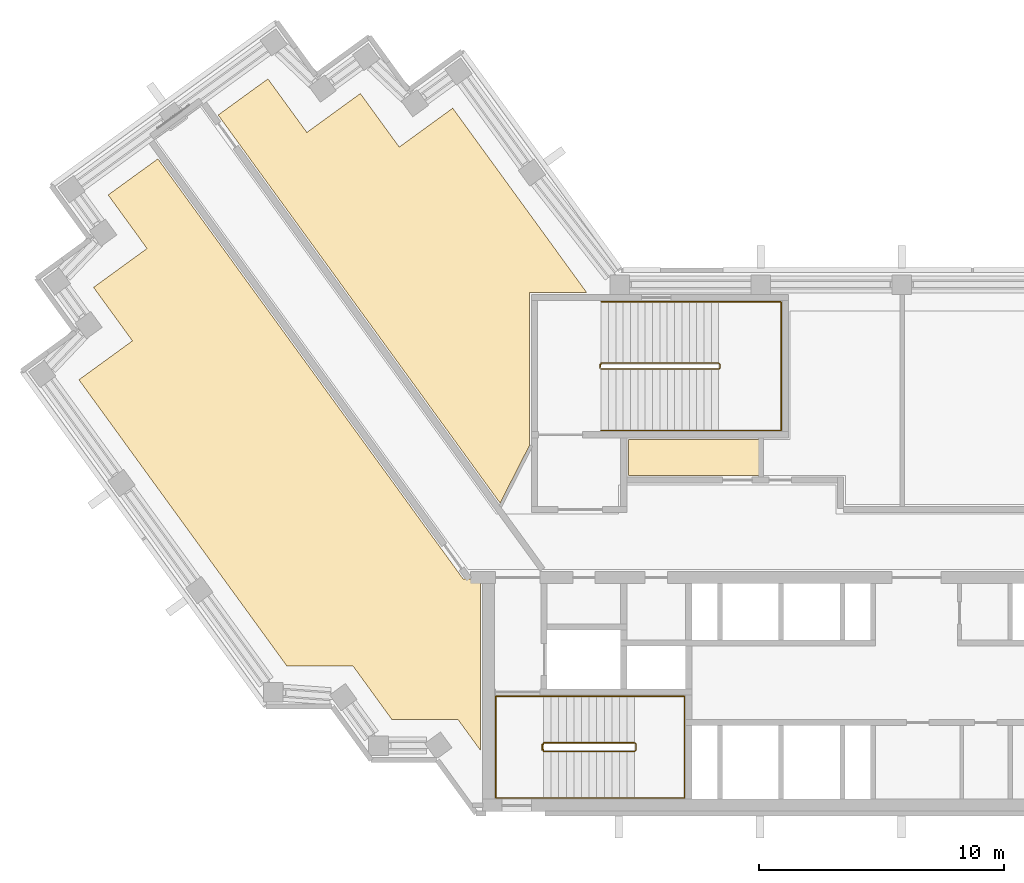
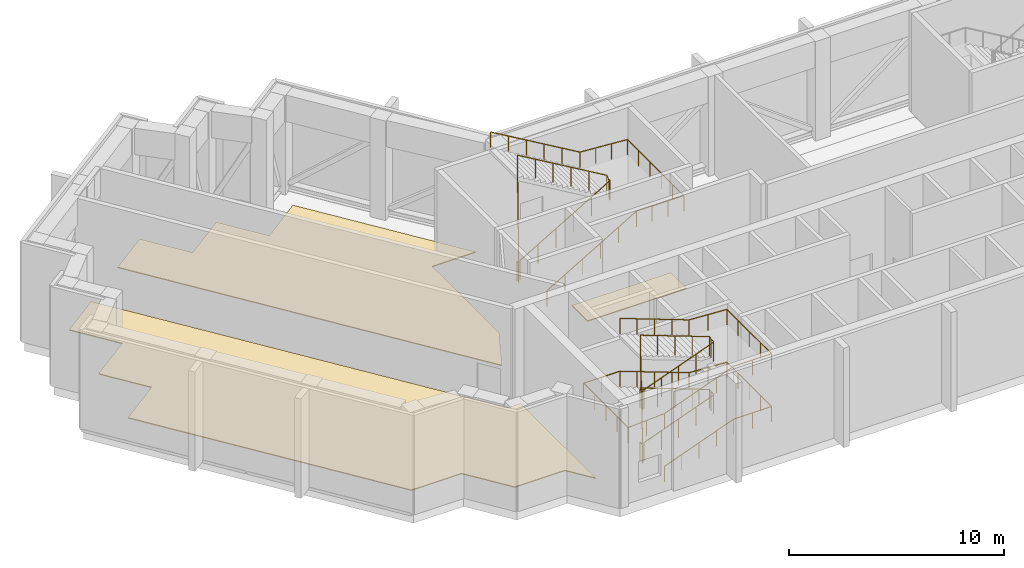
# One storey, part 13 of 15: 4 railings, 3 coverings.
"""IFC4 building model written with IfcOpenShell, lengths in metres."""

from ifc_helpers import new_model, si_unit, direction, frame, origin, origin_2d, place, context, subcontext, project, spatial, polyline, circle, outline, extrude, material, layer, layer_set, type_object, element, save


model = new_model("IFC4")

# Units and contexts
model_context = context("Model", 3, precision=1e-05, world=origin(), true_north=direction((0.0, 1.0)))
body_context = subcontext(model_context, "Body", "Model", "MODEL_VIEW")
ifc_project = project(units=[si_unit("LENGTHUNIT", "METRE"), si_unit("AREAUNIT", "SQUARE_METRE"), si_unit("VOLUMEUNIT", "CUBIC_METRE"), si_unit("PLANEANGLEUNIT", "RADIAN"), si_unit("MASSUNIT", "GRAM", prefix="KILO")], contexts=[model_context])

# Site, building, storey
site_placement = place(None, origin())
site = spatial("IfcSite", under=ifc_project, at=site_placement, CompositionType="ELEMENT")
building_placement = place(site_placement, origin())
building = spatial("IfcBuilding", under=site, at=building_placement, Name="Quipu Civic Tower", CompositionType="ELEMENT")
storey_placement = place(building_placement, frame((0.0, 0.0, 301.0)))
storey = spatial("IfcBuildingStorey", under=building, at=storey_placement, Name="L70", CompositionType="ELEMENT", Elevation=301.0)

# Coverings
ifc_material_1 = material(Name="Sealed cement screed")
ifc_layer = layer(ifc_material_1, 0.050048828125)
ifc_layer_set = layer_set([ifc_layer], Name="Sealed cement screed")
covering_type = type_object("IfcCoveringType", Name="Sealed screed floor finish 50", PredefinedType="FLOORING", material=ifc_layer_set)
covering_1_placement = place(storey_placement, origin())
element("IfcCovering", 1, at=covering_1_placement, inside=storey, type_object=covering_type, Name="Sealed screed floor finish 50", PredefinedType="FLOORING", context=body_context, shape_type="SweptSolid", body=[
    extrude(outline(polyline([(-36.462890625, 6.616943359375), (-34.280029296875, 8.2041015625), (-35.865966796875, 10.387939453125), (-33.68310546875, 11.97412109375), (-35.26904296875, 14.159912109375), (-33.238037109375, 15.635009765625), (-20.77490234375, -1.51904296875), (-20.070068359375, -1.52001953125), (-20.070068359375, -8.514892578125), (-20.991943359375, -7.24609375), (-23.69189453125, -7.24609375), (-25.279052734375, -5.06103515625), (-27.97900390625, -5.06103515625), (-36.462890625, 6.616943359375)])), origin(), (0.0, 0.0, 1.0), 0.050048828125),
])
covering_2_placement = place(storey_placement, origin())
element("IfcCovering", 2, at=covering_2_placement, inside=storey, type_object=covering_type, Name="Sealed screed floor finish 50", PredefinedType="FLOORING", context=body_context, shape_type="SweptSolid", body=[
    extrude(outline(polyline([(-14.030029296875, 2.719970703125), (-14.030029296875, 4.179931640625), (-8.70703125, 4.179931640625), (-8.70703125, 2.719970703125), (-14.030029296875, 2.719970703125)])), origin(), (0.0, 0.0, 1.0), 0.050048828125),
])
covering_3_placement = place(storey_placement, origin())
element("IfcCovering", 3, at=covering_3_placement, inside=storey, type_object=covering_type, Name="Sealed screed floor finish 50", PredefinedType="FLOORING", context=body_context, shape_type="SweptSolid", body=[
    extrude(outline(polyline([(-30.779052734375, 17.422119140625), (-28.748046875, 18.89697265625), (-27.159912109375, 16.712890625), (-24.97607421875, 18.299072265625), (-23.388916015625, 16.115966796875), (-21.205078125, 17.701904296875), (-15.73193359375, 10.169921875), (-18.070068359375, 10.1689453125), (-18.070068359375, 3.94189453125), (-19.27197265625, 1.583984375), (-30.779052734375, 17.422119140625)])), origin(), (0.0, 0.0, 1.0), 0.050048828125),
])

# Railings
ifc_material_2 = material(Name="Stainless steel", Category="steel")
railing_type_1 = type_object("IfcRailingType", Name="Stair guard 1100", PredefinedType="GUARDRAIL", material=ifc_material_2)
railing_1_placement = place(storey_placement, frame((-17.5, -8.550048828125, 0.115478515625)))
element("IfcRailing", 4, at=railing_1_placement, inside=storey, type_object=railing_type_1, Name="Stair 1 guard", PredefinedType="GUARDRAIL", context=body_context, shape_type="SweptSolid", body=[
    extrude(circle(Radius=0.02392578125, at=origin_2d()), frame((0.0, 0.0, 1.076171875), z_axis=(0.937193329374, 0.0, 0.348810354458), x_axis=(0.0, 1.0, 0.0)), (0.0, 0.0, 1.0), 3.96923828125),
    extrude(circle(Radius=0.02392578125, at=origin_2d()), frame((3.719970703125, 0.0, 2.46044921875), z_axis=(0.707106781187, 0.707106781187, 0.0), x_axis=(-0.707106781187, 0.707106781187, 0.0)), (0.0, 0.0, 1.0), 0.07080078125),
    extrude(circle(Radius=0.02392578125, at=origin_2d()), frame((3.77001953125, 0.050048828125, 2.46044921875), z_axis=(0.0, 1.0, 0.0), x_axis=(-1.0, 0.0, 0.0)), (0.0, 0.0, 1.0), 0.25),
    extrude(circle(Radius=0.02392578125, at=origin_2d()), frame((3.77001953125, 0.300048828125, 2.46044921875), z_axis=(-0.3695169537, 0.3695169537, 0.852592776099), x_axis=(-0.707106781187, -0.707106781187, 0.0)), (0.0, 0.0, 1.0), 0.135498046875),
    extrude(circle(Radius=0.02392578125, at=origin_2d()), frame((3.719970703125, 0.35009765625, 2.576171875), z_axis=(-0.937193329374, 0.0, 0.348810354458), x_axis=(0.0, -1.0, 0.0)), (0.0, 0.0, 1.0), 3.96923828125),
    extrude(circle(Radius=0.02392578125, at=origin_2d()), frame((0.0, 0.35009765625, 3.96044921875), z_axis=(-0.164529134168, -0.986372223864, 0.0), x_axis=(0.986372223864, -0.164529134168, 0.0)), (0.0, 0.0, 1.0), 0.30419921875),
    extrude(circle(Radius=0.02392578125, at=origin_2d()), frame((-0.050048828125, 0.050048828125, 3.96044921875), z_axis=(0.0, 1.0, 0.0), x_axis=(-1.0, 0.0, 0.0)), (0.0, 0.0, 1.0), 0.25),
    extrude(circle(Radius=0.02392578125, at=origin_2d()), frame((-0.050048828125, 0.300048828125, 3.96044921875), z_axis=(0.153818488509, -0.922160596963, 0.354908024706), x_axis=(0.986372223864, 0.164529134168, 0.0)), (0.0, 0.0, 1.0), 0.325439453125),
    extrude(circle(Radius=0.02392578125, at=origin_2d()), frame((0.0, 0.0, 4.076171875), z_axis=(0.937193329374, 0.0, 0.348810354458), x_axis=(0.0, 1.0, 0.0)), (0.0, 0.0, 1.0), 3.96923828125),
    extrude(circle(Radius=0.02392578125, at=origin_2d()), frame((3.719970703125, 0.0, 5.46044921875), z_axis=(0.707106781187, 0.707106781187, 0.0), x_axis=(-0.707106781187, 0.707106781187, 0.0)), (0.0, 0.0, 1.0), 0.07080078125),
    extrude(circle(Radius=0.02392578125, at=origin_2d()), frame((3.77001953125, 0.050048828125, 5.46044921875), z_axis=(0.0, 1.0, 0.0), x_axis=(-1.0, 0.0, 0.0)), (0.0, 0.0, 1.0), 0.25),
    extrude(circle(Radius=0.02392578125, at=origin_2d()), frame((3.77001953125, 0.300048828125, 5.46044921875), z_axis=(-0.3695169537, 0.3695169537, 0.852592776099), x_axis=(-0.707106781187, -0.707106781187, 0.0)), (0.0, 0.0, 1.0), 0.135498046875),
    extrude(circle(Radius=0.02392578125, at=origin_2d()), frame((3.719970703125, 0.35009765625, 5.576171875), z_axis=(-0.937193329374, 0.0, 0.348810354458), x_axis=(0.0, -1.0, 0.0)), (0.0, 0.0, 1.0), 3.96923828125),
    extrude(circle(Radius=0.02392578125, at=origin_2d()), frame((0.0, 0.35009765625, 6.96044921875), z_axis=(-0.008330771543, -0.049943991347, -0.998717275296), x_axis=(0.986372223864, -0.164529134168, 0.0)), (0.0, 0.0, 1.0), 6.0078125),
    extrude(circle(Radius=0.02392578125, at=origin_2d()), frame((-0.050048828125, 0.050048828125, 0.96044921875), z_axis=(0.0, 1.0, 0.0), x_axis=(-1.0, 0.0, 0.0)), (0.0, 0.0, 1.0), 0.25),
    extrude(circle(Radius=0.02099609375, at=origin_2d()), origin(), (0.0, 0.0, 1.0), 1.052001953125),
    extrude(circle(Radius=0.02099609375, at=origin_2d()), frame((0.929931640625, 0.0, 0.34619140625)), (0.0, 0.0, 1.0), 1.052001953125),
    extrude(circle(Radius=0.02099609375, at=origin_2d()), frame((1.85986328125, 0.0, 0.6923828125)), (0.0, 0.0, 1.0), 1.052001953125),
    extrude(circle(Radius=0.02099609375, at=origin_2d()), frame((2.7900390625, 0.0, 1.038330078125)), (0.0, 0.0, 1.0), 1.052001953125),
    extrude(circle(Radius=0.02099609375, at=origin_2d()), frame((3.719970703125, 0.0, 1.384521484375)), (0.0, 0.0, 1.0), 1.052001953125),
    extrude(circle(Radius=0.02099609375, at=origin_2d()), frame((3.77001953125, 0.050048828125, 1.384521484375)), (0.0, 0.0, 1.0), 1.052001953125),
    extrude(circle(Radius=0.02099609375, at=origin_2d()), frame((3.77001953125, 0.300048828125, 1.384521484375)), (0.0, 0.0, 1.0), 1.052001953125),
    extrude(circle(Radius=0.02099609375, at=origin_2d()), frame((3.719970703125, 0.35009765625, 1.5)), (0.0, 0.0, 1.0), 1.052001953125),
    extrude(circle(Radius=0.02099609375, at=origin_2d()), frame((2.7900390625, 0.35009765625, 1.84619140625)), (0.0, 0.0, 1.0), 1.052001953125),
    extrude(circle(Radius=0.02099609375, at=origin_2d()), frame((1.85986328125, 0.35009765625, 2.1923828125)), (0.0, 0.0, 1.0), 1.052001953125),
    extrude(circle(Radius=0.02099609375, at=origin_2d()), frame((0.929931640625, 0.35009765625, 2.538330078125)), (0.0, 0.0, 1.0), 1.052001953125),
    extrude(circle(Radius=0.02099609375, at=origin_2d()), frame((0.0, 0.35009765625, 2.884521484375)), (0.0, 0.0, 1.0), 1.052001953125),
    extrude(circle(Radius=0.02099609375, at=origin_2d()), frame((-0.050048828125, 0.050048828125, 2.884521484375)), (0.0, 0.0, 1.0), 1.052001953125),
    extrude(circle(Radius=0.02099609375, at=origin_2d()), frame((-0.050048828125, 0.300048828125, 2.884521484375)), (0.0, 0.0, 1.0), 1.052001953125),
    extrude(circle(Radius=0.02099609375, at=origin_2d()), frame((0.0, 0.0, 3.0)), (0.0, 0.0, 1.0), 1.052001953125),
    extrude(circle(Radius=0.02099609375, at=origin_2d()), frame((0.929931640625, 0.0, 3.34619140625)), (0.0, 0.0, 1.0), 1.052001953125),
    extrude(circle(Radius=0.02099609375, at=origin_2d()), frame((1.85986328125, 0.0, 3.6923828125)), (0.0, 0.0, 1.0), 1.052001953125),
    extrude(circle(Radius=0.02099609375, at=origin_2d()), frame((2.7900390625, 0.0, 4.038330078125)), (0.0, 0.0, 1.0), 1.052001953125),
    extrude(circle(Radius=0.02099609375, at=origin_2d()), frame((3.719970703125, 0.0, 4.384521484375)), (0.0, 0.0, 1.0), 1.052001953125),
    extrude(circle(Radius=0.02099609375, at=origin_2d()), frame((3.77001953125, 0.050048828125, 4.384521484375)), (0.0, 0.0, 1.0), 1.052001953125),
    extrude(circle(Radius=0.02099609375, at=origin_2d()), frame((3.77001953125, 0.300048828125, 4.384521484375)), (0.0, 0.0, 1.0), 1.052001953125),
    extrude(circle(Radius=0.02099609375, at=origin_2d()), frame((3.719970703125, 0.35009765625, 4.5)), (0.0, 0.0, 1.0), 1.052001953125),
    extrude(circle(Radius=0.02099609375, at=origin_2d()), frame((2.7900390625, 0.35009765625, 4.84619140625)), (0.0, 0.0, 1.0), 1.052001953125),
    extrude(circle(Radius=0.02099609375, at=origin_2d()), frame((1.85986328125, 0.35009765625, 5.1923828125)), (0.0, 0.0, 1.0), 1.052001953125),
    extrude(circle(Radius=0.02099609375, at=origin_2d()), frame((0.929931640625, 0.35009765625, 5.538330078125)), (0.0, 0.0, 1.0), 1.052001953125),
    extrude(circle(Radius=0.02099609375, at=origin_2d()), frame((0.0, 0.35009765625, 5.884521484375)), (0.0, 0.0, 1.0), 1.052001953125),
    extrude(circle(Radius=0.02099609375, at=origin_2d()), frame((-0.00830078125, 0.300048828125, 4.884521484375)), (0.0, 0.0, 1.0), 1.052001953125),
    extrude(circle(Radius=0.02099609375, at=origin_2d()), frame((-0.0166015625, 0.25, 3.884521484375)), (0.0, 0.0, 1.0), 1.052001953125),
    extrude(circle(Radius=0.02099609375, at=origin_2d()), frame((-0.02490234375, 0.2001953125, 2.884521484375)), (0.0, 0.0, 1.0), 1.052001953125),
    extrude(circle(Radius=0.02099609375, at=origin_2d()), frame((-0.033447265625, 0.150146484375, 1.884521484375)), (0.0, 0.0, 1.0), 1.052001953125),
    extrude(circle(Radius=0.02099609375, at=origin_2d()), frame((-0.041748046875, 0.10009765625, 0.884521484375)), (0.0, 0.0, 1.0), 1.052001953125),
    extrude(circle(Radius=0.02099609375, at=origin_2d()), frame((-0.050048828125, 0.050048828125, -0.115478515625)), (0.0, 0.0, 1.0), 1.052001953125),
    extrude(circle(Radius=0.02099609375, at=origin_2d()), frame((-0.050048828125, 0.300048828125, -0.115478515625)), (0.0, 0.0, 1.0), 1.052001953125),
])
railing_2_placement = place(storey_placement, frame((-15.14990234375, 7.050048828125, 0.176513671875)))
element("IfcRailing", 5, at=railing_2_placement, inside=storey, type_object=railing_type_1, Name="Stair 3 guard", PredefinedType="GUARDRAIL", context=body_context, shape_type="SweptSolid", body=[
    extrude(circle(Radius=0.02392578125, at=origin_2d()), frame((0.0, 0.0, 1.076171875), z_axis=(0.86192857992, 0.0, 0.507029706346), x_axis=(0.0, 1.0, 0.0)), (0.0, 0.0, 1.0), 5.568603515625),
    extrude(circle(Radius=0.02392578125, at=origin_2d()), frame((4.7998046875, 0.0, 3.8994140625), z_axis=(0.707106781187, 0.707106781187, 0.0), x_axis=(-0.707106781187, 0.707106781187, 0.0)), (0.0, 0.0, 1.0), 0.07080078125),
    extrude(circle(Radius=0.02392578125, at=origin_2d()), frame((4.849853515625, 0.050048828125, 3.8994140625), z_axis=(0.0, 1.0, 0.0), x_axis=(-1.0, 0.0, 0.0)), (0.0, 0.0, 1.0), 0.14990234375),
    extrude(circle(Radius=0.02392578125, at=origin_2d()), frame((4.849853515625, 0.199951171875, 3.8994140625), z_axis=(-0.263171338983, 0.263171338983, 0.928160380902), x_axis=(-0.707106781187, -0.707106781187, 0.0)), (0.0, 0.0, 1.0), 0.190185546875),
    extrude(circle(Radius=0.02392578125, at=origin_2d()), frame((4.7998046875, 0.25, 4.076171875), z_axis=(-0.86192857992, 0.0, 0.507029706346), x_axis=(0.0, -1.0, 0.0)), (0.0, 0.0, 1.0), 5.568603515625),
    extrude(circle(Radius=0.02392578125, at=origin_2d()), frame((0.0, 0.25, 6.8994140625), z_axis=(-0.008336553618, -0.033305548356, -0.999410447375), x_axis=(0.970072785993, -0.242814311512, 0.0)), (0.0, 0.0, 1.0), 6.00341796875),
    extrude(circle(Radius=0.02392578125, at=origin_2d()), frame((-0.050048828125, 0.050048828125, 0.8994140625), z_axis=(0.0, 1.0, 0.0), x_axis=(-1.0, 0.0, 0.0)), (0.0, 0.0, 1.0), 0.14990234375),
    extrude(circle(Radius=0.02099609375, at=origin_2d()), origin(), (0.0, 0.0, 1.0), 1.052001953125),
    extrude(circle(Radius=0.02099609375, at=origin_2d()), frame((0.9599609375, 0.0, 0.564697265625)), (0.0, 0.0, 1.0), 1.052001953125),
    extrude(circle(Radius=0.02099609375, at=origin_2d()), frame((1.919921875, 0.0, 1.12939453125)), (0.0, 0.0, 1.0), 1.052001953125),
    extrude(circle(Radius=0.02099609375, at=origin_2d()), frame((2.8798828125, 0.0, 1.694091796875)), (0.0, 0.0, 1.0), 1.052001953125),
    extrude(circle(Radius=0.02099609375, at=origin_2d()), frame((3.83984375, 0.0, 2.2587890625)), (0.0, 0.0, 1.0), 1.052001953125),
    extrude(circle(Radius=0.02099609375, at=origin_2d()), frame((4.7998046875, 0.0, 2.823486328125)), (0.0, 0.0, 1.0), 1.052001953125),
    extrude(circle(Radius=0.02099609375, at=origin_2d()), frame((4.849853515625, 0.050048828125, 2.823486328125)), (0.0, 0.0, 1.0), 1.052001953125),
    extrude(circle(Radius=0.02099609375, at=origin_2d()), frame((4.849853515625, 0.199951171875, 2.823486328125)), (0.0, 0.0, 1.0), 1.052001953125),
    extrude(circle(Radius=0.02099609375, at=origin_2d()), frame((4.7998046875, 0.25, 3.0)), (0.0, 0.0, 1.0), 1.052001953125),
    extrude(circle(Radius=0.02099609375, at=origin_2d()), frame((3.83984375, 0.25, 3.564697265625)), (0.0, 0.0, 1.0), 1.052001953125),
    extrude(circle(Radius=0.02099609375, at=origin_2d()), frame((2.8798828125, 0.25, 4.12939453125)), (0.0, 0.0, 1.0), 1.052001953125),
    extrude(circle(Radius=0.02099609375, at=origin_2d()), frame((1.919921875, 0.25, 4.694091796875)), (0.0, 0.0, 1.0), 1.052001953125),
    extrude(circle(Radius=0.02099609375, at=origin_2d()), frame((0.9599609375, 0.25, 5.2587890625)), (0.0, 0.0, 1.0), 1.052001953125),
    extrude(circle(Radius=0.02099609375, at=origin_2d()), frame((0.0, 0.25, 5.823486328125)), (0.0, 0.0, 1.0), 1.052001953125),
    extrude(circle(Radius=0.02099609375, at=origin_2d()), frame((-0.00830078125, 0.216796875, 4.823486328125)), (0.0, 0.0, 1.0), 1.052001953125),
    extrude(circle(Radius=0.02099609375, at=origin_2d()), frame((-0.0166015625, 0.183349609375, 3.823486328125)), (0.0, 0.0, 1.0), 1.052001953125),
    extrude(circle(Radius=0.02099609375, at=origin_2d()), frame((-0.02490234375, 0.14990234375, 2.823486328125)), (0.0, 0.0, 1.0), 1.052001953125),
    extrude(circle(Radius=0.02099609375, at=origin_2d()), frame((-0.033447265625, 0.11669921875, 1.823486328125)), (0.0, 0.0, 1.0), 1.052001953125),
    extrude(circle(Radius=0.02099609375, at=origin_2d()), frame((-0.041748046875, 0.08349609375, 0.823486328125)), (0.0, 0.0, 1.0), 1.052001953125),
    extrude(circle(Radius=0.02099609375, at=origin_2d()), frame((-0.050048828125, 0.050048828125, -0.176513671875)), (0.0, 0.0, 1.0), 1.052001953125),
    extrude(circle(Radius=0.02099609375, at=origin_2d()), frame((-0.050048828125, 0.199951171875, -0.176513671875)), (0.0, 0.0, 1.0), 1.052001953125),
])
ifc_material_3 = material(Name="Stainless steel", Category="steel")
railing_type_2 = type_object("IfcRailingType", Name="Stair handrail", PredefinedType="HANDRAIL", material=ifc_material_3)
railing_3_placement = place(storey_placement, frame((-17.5, -10.449951171875, 0.115478515625)))
element("IfcRailing", 6, at=railing_3_placement, inside=storey, type_object=railing_type_2, Name="Stair 1 handrail", PredefinedType="HANDRAIL", context=body_context, shape_type="SweptSolid", body=[
    extrude(circle(Radius=0.02392578125, at=origin_2d()), frame((0.0, 0.0, 0.8759765625), z_axis=(0.937193329374, 0.0, 0.348810354458), x_axis=(0.0, 1.0, 0.0)), (0.0, 0.0, 1.0), 3.96923828125),
    extrude(circle(Radius=0.02392578125, at=origin_2d()), frame((3.719970703125, 0.0, 2.26025390625), z_axis=(1.0, 0.0, 0.0), x_axis=(0.0, 1.0, 0.0)), (0.0, 0.0, 1.0), 2.030029296875),
    extrude(circle(Radius=0.02392578125, at=origin_2d()), frame((5.75, 0.0, 2.26025390625), z_axis=(0.0, 1.0, 0.0), x_axis=(-1.0, 0.0, 0.0)), (0.0, 0.0, 1.0), 4.14990234375),
    extrude(circle(Radius=0.02392578125, at=origin_2d()), frame((5.75, 4.14990234375, 2.26025390625), z_axis=(-0.99838595614, 0.0, 0.056793332201), x_axis=(0.0, -1.0, 0.0)), (0.0, 0.0, 1.0), 2.033203125),
    extrude(circle(Radius=0.02392578125, at=origin_2d()), frame((3.719970703125, 4.14990234375, 2.3759765625), z_axis=(-0.937193329374, 0.0, 0.348810354458), x_axis=(0.0, -1.0, 0.0)), (0.0, 0.0, 1.0), 3.96923828125),
    extrude(circle(Radius=0.02392578125, at=origin_2d()), frame((0.0, 4.14990234375, 3.76025390625), z_axis=(-1.0, 0.0, 0.0), x_axis=(0.0, -1.0, 0.0)), (0.0, 0.0, 1.0), 1.949951171875),
    extrude(circle(Radius=0.02392578125, at=origin_2d()), frame((-1.949951171875, 4.14990234375, 3.76025390625), z_axis=(0.0, -1.0, 0.0), x_axis=(1.0, 0.0, 0.0)), (0.0, 0.0, 1.0), 4.14990234375),
    extrude(circle(Radius=0.02392578125, at=origin_2d()), frame((-1.949951171875, 0.0, 3.76025390625), z_axis=(0.998251021802, 0.0, 0.059117657858), x_axis=(0.0, 1.0, 0.0)), (0.0, 0.0, 1.0), 1.953369140625),
    extrude(circle(Radius=0.02392578125, at=origin_2d()), frame((0.0, 0.0, 3.8759765625), z_axis=(0.937193329374, 0.0, 0.348810354458), x_axis=(0.0, 1.0, 0.0)), (0.0, 0.0, 1.0), 3.96923828125),
    extrude(circle(Radius=0.02392578125, at=origin_2d()), frame((3.719970703125, 0.0, 5.26025390625), z_axis=(1.0, 0.0, 0.0), x_axis=(0.0, 1.0, 0.0)), (0.0, 0.0, 1.0), 2.030029296875),
    extrude(circle(Radius=0.02392578125, at=origin_2d()), frame((5.75, 0.0, 5.26025390625), z_axis=(0.0, 1.0, 0.0), x_axis=(-1.0, 0.0, 0.0)), (0.0, 0.0, 1.0), 4.14990234375),
    extrude(circle(Radius=0.02392578125, at=origin_2d()), frame((5.75, 4.14990234375, 5.26025390625), z_axis=(-0.99838595614, 0.0, 0.056793332201), x_axis=(0.0, -1.0, 0.0)), (0.0, 0.0, 1.0), 2.033203125),
    extrude(circle(Radius=0.02392578125, at=origin_2d()), frame((3.719970703125, 4.14990234375, 5.3759765625), z_axis=(-0.937193329374, 0.0, 0.348810354458), x_axis=(0.0, -1.0, 0.0)), (0.0, 0.0, 1.0), 3.96923828125),
    extrude(circle(Radius=0.02099609375, at=origin_2d()), origin(), (0.0, 0.0, 1.0), 0.851806640625),
    extrude(circle(Radius=0.02099609375, at=origin_2d()), frame((0.929931640625, 0.0, 0.34619140625)), (0.0, 0.0, 1.0), 0.851806640625),
    extrude(circle(Radius=0.02099609375, at=origin_2d()), frame((1.85986328125, 0.0, 0.6923828125)), (0.0, 0.0, 1.0), 0.851806640625),
    extrude(circle(Radius=0.02099609375, at=origin_2d()), frame((2.7900390625, 0.0, 1.038330078125)), (0.0, 0.0, 1.0), 0.851806640625),
    extrude(circle(Radius=0.02099609375, at=origin_2d()), frame((3.719970703125, 0.0, 1.384521484375)), (0.0, 0.0, 1.0), 0.851806640625),
    extrude(circle(Radius=0.02099609375, at=origin_2d()), frame((4.73486328125, 0.0, 1.384521484375)), (0.0, 0.0, 1.0), 0.851806640625),
    extrude(circle(Radius=0.02099609375, at=origin_2d()), frame((5.75, 0.0, 1.384521484375)), (0.0, 0.0, 1.0), 0.851806640625),
    extrude(circle(Radius=0.02099609375, at=origin_2d()), frame((5.75, 1.03759765625, 1.384521484375)), (0.0, 0.0, 1.0), 0.851806640625),
    extrude(circle(Radius=0.02099609375, at=origin_2d()), frame((5.75, 2.074951171875, 1.384521484375)), (0.0, 0.0, 1.0), 0.851806640625),
    extrude(circle(Radius=0.02099609375, at=origin_2d()), frame((5.75, 3.1123046875, 1.384521484375)), (0.0, 0.0, 1.0), 0.851806640625),
    extrude(circle(Radius=0.02099609375, at=origin_2d()), frame((5.75, 4.14990234375, 1.384521484375)), (0.0, 0.0, 1.0), 0.851806640625),
    extrude(circle(Radius=0.02099609375, at=origin_2d()), frame((4.73486328125, 4.14990234375, 1.4423828125)), (0.0, 0.0, 1.0), 0.851806640625),
    extrude(circle(Radius=0.02099609375, at=origin_2d()), frame((3.719970703125, 4.14990234375, 1.5)), (0.0, 0.0, 1.0), 0.851806640625),
    extrude(circle(Radius=0.02099609375, at=origin_2d()), frame((2.7900390625, 4.14990234375, 1.84619140625)), (0.0, 0.0, 1.0), 0.851806640625),
    extrude(circle(Radius=0.02099609375, at=origin_2d()), frame((1.85986328125, 4.14990234375, 2.1923828125)), (0.0, 0.0, 1.0), 0.851806640625),
    extrude(circle(Radius=0.02099609375, at=origin_2d()), frame((0.929931640625, 4.14990234375, 2.538330078125)), (0.0, 0.0, 1.0), 0.851806640625),
    extrude(circle(Radius=0.02099609375, at=origin_2d()), frame((0.0, 4.14990234375, 2.884521484375)), (0.0, 0.0, 1.0), 0.851806640625),
    extrude(circle(Radius=0.02099609375, at=origin_2d()), frame((-0.97509765625, 4.14990234375, 2.884521484375)), (0.0, 0.0, 1.0), 0.851806640625),
    extrude(circle(Radius=0.02099609375, at=origin_2d()), frame((-1.949951171875, 4.14990234375, 2.884521484375)), (0.0, 0.0, 1.0), 0.851806640625),
    extrude(circle(Radius=0.02099609375, at=origin_2d()), frame((-1.949951171875, 3.1123046875, 2.884521484375)), (0.0, 0.0, 1.0), 0.851806640625),
    extrude(circle(Radius=0.02099609375, at=origin_2d()), frame((-1.949951171875, 2.074951171875, 2.884521484375)), (0.0, 0.0, 1.0), 0.851806640625),
    extrude(circle(Radius=0.02099609375, at=origin_2d()), frame((-1.949951171875, 1.03759765625, 2.884521484375)), (0.0, 0.0, 1.0), 0.851806640625),
    extrude(circle(Radius=0.02099609375, at=origin_2d()), frame((-1.949951171875, 0.0, 2.884521484375)), (0.0, 0.0, 1.0), 0.851806640625),
    extrude(circle(Radius=0.02099609375, at=origin_2d()), frame((-0.97509765625, 0.0, 2.9423828125)), (0.0, 0.0, 1.0), 0.851806640625),
    extrude(circle(Radius=0.02099609375, at=origin_2d()), frame((0.0, 0.0, 3.0)), (0.0, 0.0, 1.0), 0.851806640625),
    extrude(circle(Radius=0.02099609375, at=origin_2d()), frame((0.929931640625, 0.0, 3.34619140625)), (0.0, 0.0, 1.0), 0.851806640625),
    extrude(circle(Radius=0.02099609375, at=origin_2d()), frame((1.85986328125, 0.0, 3.6923828125)), (0.0, 0.0, 1.0), 0.851806640625),
    extrude(circle(Radius=0.02099609375, at=origin_2d()), frame((2.7900390625, 0.0, 4.038330078125)), (0.0, 0.0, 1.0), 0.851806640625),
    extrude(circle(Radius=0.02099609375, at=origin_2d()), frame((3.719970703125, 0.0, 4.384521484375)), (0.0, 0.0, 1.0), 0.851806640625),
    extrude(circle(Radius=0.02099609375, at=origin_2d()), frame((4.73486328125, 0.0, 4.384521484375)), (0.0, 0.0, 1.0), 0.851806640625),
    extrude(circle(Radius=0.02099609375, at=origin_2d()), frame((5.75, 0.0, 4.384521484375)), (0.0, 0.0, 1.0), 0.851806640625),
    extrude(circle(Radius=0.02099609375, at=origin_2d()), frame((5.75, 1.03759765625, 4.384521484375)), (0.0, 0.0, 1.0), 0.851806640625),
    extrude(circle(Radius=0.02099609375, at=origin_2d()), frame((5.75, 2.074951171875, 4.384521484375)), (0.0, 0.0, 1.0), 0.851806640625),
    extrude(circle(Radius=0.02099609375, at=origin_2d()), frame((5.75, 3.1123046875, 4.384521484375)), (0.0, 0.0, 1.0), 0.851806640625),
    extrude(circle(Radius=0.02099609375, at=origin_2d()), frame((5.75, 4.14990234375, 4.384521484375)), (0.0, 0.0, 1.0), 0.851806640625),
    extrude(circle(Radius=0.02099609375, at=origin_2d()), frame((4.73486328125, 4.14990234375, 4.4423828125)), (0.0, 0.0, 1.0), 0.851806640625),
    extrude(circle(Radius=0.02099609375, at=origin_2d()), frame((3.719970703125, 4.14990234375, 4.5)), (0.0, 0.0, 1.0), 0.851806640625),
    extrude(circle(Radius=0.02099609375, at=origin_2d()), frame((2.7900390625, 4.14990234375, 4.84619140625)), (0.0, 0.0, 1.0), 0.851806640625),
    extrude(circle(Radius=0.02099609375, at=origin_2d()), frame((1.85986328125, 4.14990234375, 5.1923828125)), (0.0, 0.0, 1.0), 0.851806640625),
    extrude(circle(Radius=0.02099609375, at=origin_2d()), frame((0.929931640625, 4.14990234375, 5.538330078125)), (0.0, 0.0, 1.0), 0.851806640625),
    extrude(circle(Radius=0.02099609375, at=origin_2d()), frame((0.0, 4.14990234375, 5.884521484375)), (0.0, 0.0, 1.0), 0.851806640625),
])
railing_4_placement = place(storey_placement, frame((-15.14990234375, 4.550048828125, 0.176513671875)))
element("IfcRailing", 7, at=railing_4_placement, inside=storey, type_object=railing_type_2, Name="Stair 3 handrail", PredefinedType="HANDRAIL", context=body_context, shape_type="SweptSolid", body=[
    extrude(circle(Radius=0.02392578125, at=origin_2d()), frame((0.0, 0.0, 0.8759765625), z_axis=(0.86192857992, 0.0, 0.507029706346), x_axis=(0.0, 1.0, 0.0)), (0.0, 0.0, 1.0), 5.568603515625),
    extrude(circle(Radius=0.02392578125, at=origin_2d()), frame((4.7998046875, 0.0, 3.69921875), z_axis=(1.0, 0.0, 0.0), x_axis=(0.0, 1.0, 0.0)), (0.0, 0.0, 1.0), 2.550048828125),
    extrude(circle(Radius=0.02392578125, at=origin_2d()), frame((7.349853515625, 0.0, 3.69921875), z_axis=(0.0, 1.0, 0.0), x_axis=(-1.0, 0.0, 0.0)), (0.0, 0.0, 1.0), 5.25),
    extrude(circle(Radius=0.02392578125, at=origin_2d()), frame((7.349853515625, 5.25, 3.69921875), z_axis=(-0.997612889748, 0.0, 0.069054487246), x_axis=(0.0, -1.0, 0.0)), (0.0, 0.0, 1.0), 2.55615234375),
    extrude(circle(Radius=0.02392578125, at=origin_2d()), frame((4.7998046875, 5.25, 3.8759765625), z_axis=(-0.86192857992, 0.0, 0.507029706346), x_axis=(0.0, -1.0, 0.0)), (0.0, 0.0, 1.0), 5.568603515625),
    extrude(circle(Radius=0.02099609375, at=origin_2d()), origin(), (0.0, 0.0, 1.0), 0.851806640625),
    extrude(circle(Radius=0.02099609375, at=origin_2d()), frame((0.9599609375, 0.0, 0.564697265625)), (0.0, 0.0, 1.0), 0.851806640625),
    extrude(circle(Radius=0.02099609375, at=origin_2d()), frame((1.919921875, 0.0, 1.12939453125)), (0.0, 0.0, 1.0), 0.851806640625),
    extrude(circle(Radius=0.02099609375, at=origin_2d()), frame((2.8798828125, 0.0, 1.694091796875)), (0.0, 0.0, 1.0), 0.851806640625),
    extrude(circle(Radius=0.02099609375, at=origin_2d()), frame((3.83984375, 0.0, 2.2587890625)), (0.0, 0.0, 1.0), 0.851806640625),
    extrude(circle(Radius=0.02099609375, at=origin_2d()), frame((4.7998046875, 0.0, 2.823486328125)), (0.0, 0.0, 1.0), 0.851806640625),
    extrude(circle(Radius=0.02099609375, at=origin_2d()), frame((5.64990234375, 0.0, 2.823486328125)), (0.0, 0.0, 1.0), 0.851806640625),
    extrude(circle(Radius=0.02099609375, at=origin_2d()), frame((6.499755859375, 0.0, 2.823486328125)), (0.0, 0.0, 1.0), 0.851806640625),
    extrude(circle(Radius=0.02099609375, at=origin_2d()), frame((7.349853515625, 0.0, 2.823486328125)), (0.0, 0.0, 1.0), 0.851806640625),
    extrude(circle(Radius=0.02099609375, at=origin_2d()), frame((7.349853515625, 1.050048828125, 2.823486328125)), (0.0, 0.0, 1.0), 0.851806640625),
    extrude(circle(Radius=0.02099609375, at=origin_2d()), frame((7.349853515625, 2.10009765625, 2.823486328125)), (0.0, 0.0, 1.0), 0.851806640625),
    extrude(circle(Radius=0.02099609375, at=origin_2d()), frame((7.349853515625, 3.14990234375, 2.823486328125)), (0.0, 0.0, 1.0), 0.851806640625),
    extrude(circle(Radius=0.02099609375, at=origin_2d()), frame((7.349853515625, 4.199951171875, 2.823486328125)), (0.0, 0.0, 1.0), 0.851806640625),
    extrude(circle(Radius=0.02099609375, at=origin_2d()), frame((7.349853515625, 5.25, 2.823486328125)), (0.0, 0.0, 1.0), 0.851806640625),
    extrude(circle(Radius=0.02099609375, at=origin_2d()), frame((6.499755859375, 5.25, 2.88232421875)), (0.0, 0.0, 1.0), 0.851806640625),
    extrude(circle(Radius=0.02099609375, at=origin_2d()), frame((5.64990234375, 5.25, 2.941162109375)), (0.0, 0.0, 1.0), 0.851806640625),
    extrude(circle(Radius=0.02099609375, at=origin_2d()), frame((4.7998046875, 5.25, 3.0)), (0.0, 0.0, 1.0), 0.851806640625),
    extrude(circle(Radius=0.02099609375, at=origin_2d()), frame((3.83984375, 5.25, 3.564697265625)), (0.0, 0.0, 1.0), 0.851806640625),
    extrude(circle(Radius=0.02099609375, at=origin_2d()), frame((2.8798828125, 5.25, 4.12939453125)), (0.0, 0.0, 1.0), 0.851806640625),
    extrude(circle(Radius=0.02099609375, at=origin_2d()), frame((1.919921875, 5.25, 4.694091796875)), (0.0, 0.0, 1.0), 0.851806640625),
    extrude(circle(Radius=0.02099609375, at=origin_2d()), frame((0.9599609375, 5.25, 5.2587890625)), (0.0, 0.0, 1.0), 0.851806640625),
    extrude(circle(Radius=0.02099609375, at=origin_2d()), frame((0.0, 5.25, 5.823486328125)), (0.0, 0.0, 1.0), 0.851806640625),
])

save(model, "model.ifc")
